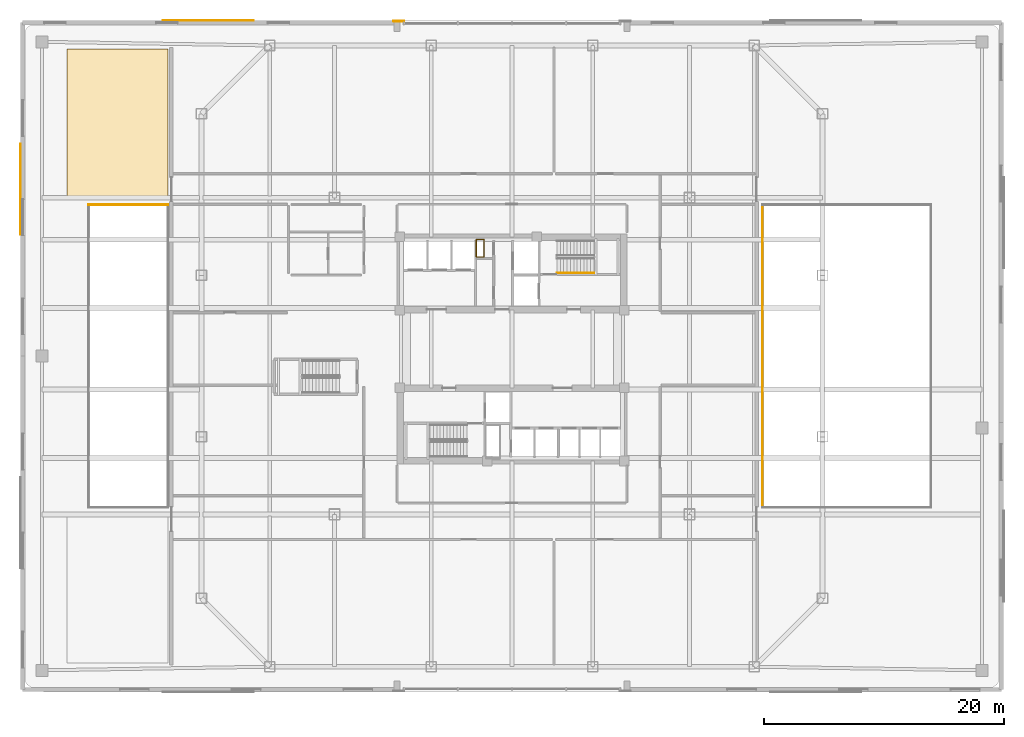
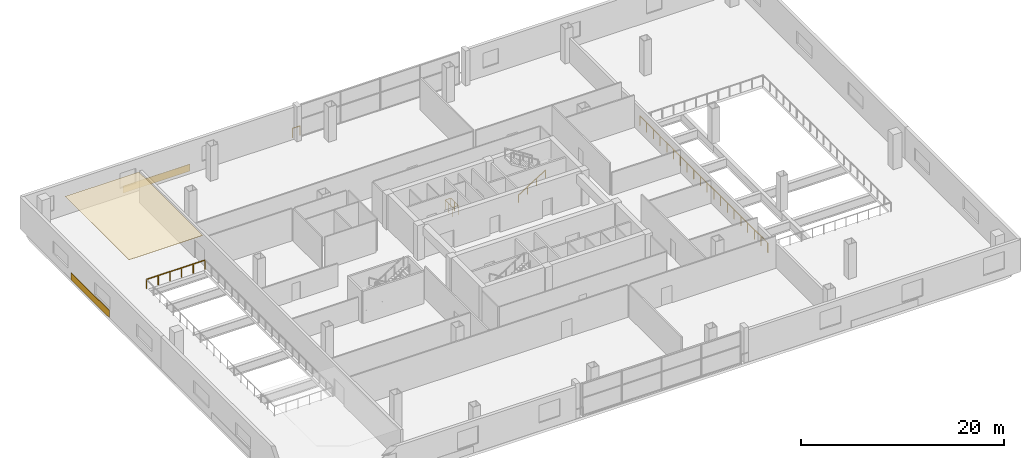
# One storey, part 19 of 21: 5 railings, 3 coverings.
"""IFC4 building model written with IfcOpenShell, lengths in metres."""

from ifc_helpers import new_model, si_unit, direction, frame, origin, origin_2d, place, context, subcontext, project, spatial, polyline, rectangle, outline, extrude, material, layer, layer_set, type_object, element, save


model = new_model("IFC4")

# Units and contexts
model_context = context("Model", 3, precision=1e-05, world=origin(), true_north=direction((0.0, 1.0)))
body_context = subcontext(model_context, "Body", "Model", "MODEL_VIEW")
ifc_project = project(units=[si_unit("LENGTHUNIT", "METRE"), si_unit("AREAUNIT", "SQUARE_METRE"), si_unit("VOLUMEUNIT", "CUBIC_METRE"), si_unit("PLANEANGLEUNIT", "RADIAN"), si_unit("MASSUNIT", "GRAM", prefix="KILO")], contexts=[model_context])

# Site, building, storey
site_placement = place(None, origin())
site = spatial("IfcSite", under=ifc_project, at=site_placement, CompositionType="ELEMENT")
building_placement = place(site_placement, origin())
building = spatial("IfcBuilding", under=site, at=building_placement, Name="Qhalaya Broadcast Tower", CompositionType="ELEMENT")
storey_placement = place(building_placement, frame((0.0, 0.0, 9.300048828125)))
storey = spatial("IfcBuildingStorey", under=building, at=storey_placement, Name="L02", CompositionType="ELEMENT", Elevation=9.300048828125)

# Coverings
ifc_material_1 = material(Name="Acoustic Mineral-Fibre Ceiling")
ifc_layer_1 = layer(ifc_material_1, 0.0400390625, Name="Acoustic Mineral-Fibre Ceiling")
ifc_layer_set_1 = layer_set([ifc_layer_1], Name="Acoustic Mineral-Fibre Ceiling")
covering_type_1 = type_object("IfcCoveringType", Name="Acoustic Mineral-Fibre Suspended Ceiling CLG-01", PredefinedType="CEILING", material=ifc_layer_set_1)
covering_placement = place(storey_placement, frame((0.0, 0.0, 3.83984375)))
element("IfcCovering", 1, at=covering_placement, inside=storey, type_object=covering_type_1, Name="L02 Acoustic Suspended Ceiling 02", PredefinedType="CEILING", context=body_context, shape_type="SweptSolid", body=[
    extrude(outline(polyline([(-28.699951171875, 25.60009765625), (-37.10009765625, 25.60009765625), (-37.10009765625, 13.0), (-28.699951171875, 13.0), (-28.699951171875, 25.60009765625)])), origin(), (0.0, 0.0, 1.0), 0.0400390625),
])
ifc_material_2 = material(Name="Fired Architectural Terracotta", Category="masonry")
ifc_layer_2 = layer(ifc_material_2, 0.044921875, Name="Fired Architectural Terracotta")
ifc_layer_set_2 = layer_set([ifc_layer_2], Name="Fired Architectural Terracotta")
covering_type_2 = type_object("IfcCoveringType", Name="Polychrome Terracotta Rainscreen Cladding CLD-01", PredefinedType="CLADDING", material=ifc_layer_set_2)
for number, where, z_axis, x_axis, name in (
    (2, (-25.320068359375, 28.0, 0.02490234375), (0.0, 0.0, 1.0), (1.0, 0.0, 0.0), "L02 Terracotta Spandrel Cladding EW-NW"),
    (3, (-41.0, 13.89990234375, 0.02490234375), (0.0, 0.0, 1.0), (0.0, 1.0, 0.0), "L02 Terracotta Spandrel Cladding EW-WN"),
):
    element("IfcCovering", number, at=place(storey_placement, frame(where, z_axis=z_axis, x_axis=x_axis)), inside=storey, type_object=covering_type_2, Name=name, PredefinedType="CLADDING", context=body_context, shape_type="SweptSolid", body=[
        extrude(rectangle(XDim=7.60009765625, YDim=0.044921875, at=origin_2d()), origin(), (0.0, 0.0, 1.0), 0.85009765625),
    ])

# Railings
ifc_material_3 = material(Name="Powder-Coated Galvanised Steel", Category="steel")
railing_type_1 = type_object("IfcRailingType", Name="Stair Wall Handrail 900", PredefinedType="HANDRAIL", material=ifc_material_3)
railing_1_placement = place(storey_placement, frame((3.75, 6.929931640625, 0.175048828125)))
element("IfcRailing", 4, at=railing_1_placement, inside=storey, type_object=railing_type_1, Name="L02 ST-1 Stair Handrail 1", PredefinedType="HANDRAIL", context=body_context, shape_type="SweptSolid", body=[
    extrude(rectangle(XDim=0.048095703125, YDim=0.048095703125, at=origin_2d()), frame((0.0, 0.0, 0.8759765625), z_axis=(0.848028513186, 0.0, 0.529950602248), x_axis=(0.0, 1.0, 0.0)), (0.0, 0.0, 1.0), 3.632080078125),
    extrude(rectangle(XDim=0.0419921875, YDim=0.0419921875, at=origin_2d()), origin(), (0.0, 0.0, 1.0), 0.849853515625),
    extrude(rectangle(XDim=0.0419921875, YDim=0.0419921875, at=origin_2d()), frame((1.026611328125, 0.0, 0.6416015625)), (0.0, 0.0, 1.0), 0.849853515625),
    extrude(rectangle(XDim=0.0419921875, YDim=0.0419921875, at=origin_2d()), frame((2.053466796875, 0.0, 1.283203125)), (0.0, 0.0, 1.0), 0.849853515625),
    extrude(rectangle(XDim=0.0419921875, YDim=0.0419921875, at=origin_2d()), frame((3.080078125, 0.0, 1.9248046875)), (0.0, 0.0, 1.0), 0.849853515625),
])
railing_type_2 = type_object("IfcRailingType", Name="Stair Well & Landing Guardrail 1100", PredefinedType="GUARDRAIL", material=ifc_material_3)
railing_2_placement = place(storey_placement, frame((-2.340087890625, 8.239990234375, 0.0)))
element("IfcRailing", 5, at=railing_2_placement, inside=storey, type_object=railing_type_2, Name="L02 Service Riser Opening Safety Guard NRSR", PredefinedType="GUARDRAIL", context=body_context, shape_type="SweptSolid", body=[
    extrude(rectangle(XDim=0.048095703125, YDim=0.048095703125, at=origin_2d()), frame((0.0, 0.02880859375, 1.1259765625), z_axis=(0.0, 1.0, 0.0), x_axis=(-1.0, 0.0, 0.0)), (0.0, 0.0, 1.0), 1.42236328125),
    extrude(rectangle(XDim=0.048095703125, YDim=0.048095703125, at=origin_2d()), frame((-0.02880859375, 1.47998046875, 1.1259765625), z_axis=(-1.0, 0.0, 0.0), x_axis=(0.0, -1.0, 0.0)), (0.0, 0.0, 1.0), 0.582275390625),
    extrude(rectangle(XDim=0.048095703125, YDim=0.048095703125, at=origin_2d()), frame((-0.639892578125, 1.451171875, 1.1259765625), z_axis=(0.0, -1.0, 0.0), x_axis=(1.0, 0.0, 0.0)), (0.0, 0.0, 1.0), 1.42236328125),
    extrude(rectangle(XDim=0.048095703125, YDim=0.048095703125, at=origin_2d()), frame((-0.611083984375, 0.0, 1.1259765625), z_axis=(1.0, 0.0, 0.0), x_axis=(0.0, 1.0, 0.0)), (0.0, 0.0, 1.0), 0.582275390625),
    extrude(rectangle(XDim=0.0419921875, YDim=0.0419921875, at=origin_2d()), origin(), (0.0, 0.0, 1.0), 1.099853515625),
    extrude(rectangle(XDim=0.0419921875, YDim=0.0419921875, at=origin_2d()), frame((0.0, 0.739990234375, 0.0)), (0.0, 0.0, 1.0), 1.099853515625),
    extrude(rectangle(XDim=0.0419921875, YDim=0.0419921875, at=origin_2d()), frame((0.0, 1.47998046875, 0.0)), (0.0, 0.0, 1.0), 1.099853515625),
    extrude(rectangle(XDim=0.0419921875, YDim=0.0419921875, at=origin_2d()), frame((-0.639892578125, 1.47998046875, 0.0)), (0.0, 0.0, 1.0), 1.099853515625),
    extrude(rectangle(XDim=0.0419921875, YDim=0.0419921875, at=origin_2d()), frame((-0.639892578125, 0.739990234375, 0.0)), (0.0, 0.0, 1.0), 1.099853515625),
    extrude(rectangle(XDim=0.0419921875, YDim=0.0419921875, at=origin_2d()), frame((-0.639892578125, 0.0, 0.0)), (0.0, 0.0, 1.0), 1.099853515625),
])
railing_3_placement = place(storey_placement, frame((-28.679931640625, 12.6201171875, 0.0)))
element("IfcRailing", 6, at=railing_3_placement, inside=storey, type_object=railing_type_2, Name="L02 Soundstage Acoustic Void Safety Guard STVW-3", PredefinedType="GUARDRAIL", context=body_context, shape_type="SweptSolid", body=[
    extrude(rectangle(XDim=0.048095703125, YDim=0.048095703125, at=origin_2d()), frame((0.0, 0.0, 1.1259765625), z_axis=(-1.0, 0.0, 0.0), x_axis=(0.0, -1.0, 0.0)), (0.0, 0.0, 1.0), 6.64013671875),
    extrude(rectangle(XDim=0.0419921875, YDim=0.0419921875, at=origin_2d()), origin(), (0.0, 0.0, 1.0), 1.099853515625),
    extrude(rectangle(XDim=0.0419921875, YDim=0.0419921875, at=origin_2d()), frame((-1.328125, 0.0, 0.0)), (0.0, 0.0, 1.0), 1.099853515625),
    extrude(rectangle(XDim=0.0419921875, YDim=0.0419921875, at=origin_2d()), frame((-2.656005859375, 0.0, 0.0)), (0.0, 0.0, 1.0), 1.099853515625),
    extrude(rectangle(XDim=0.0419921875, YDim=0.0419921875, at=origin_2d()), frame((-3.984130859375, 0.0, 0.0)), (0.0, 0.0, 1.0), 1.099853515625),
    extrude(rectangle(XDim=0.0419921875, YDim=0.0419921875, at=origin_2d()), frame((-5.31201171875, 0.0, 0.0)), (0.0, 0.0, 1.0), 1.099853515625),
    extrude(rectangle(XDim=0.0419921875, YDim=0.0419921875, at=origin_2d()), frame((-6.64013671875, 0.0, 0.0)), (0.0, 0.0, 1.0), 1.099853515625),
])
railing_4_placement = place(storey_placement, frame((20.8798828125, 12.6201171875, 0.0)))
element("IfcRailing", 7, at=railing_4_placement, inside=storey, type_object=railing_type_2, Name="L02 Soundstage Acoustic Void Safety Guard STVE-4", PredefinedType="GUARDRAIL", context=body_context, shape_type="SweptSolid", body=[
    extrude(rectangle(XDim=0.048095703125, YDim=0.048095703125, at=origin_2d()), frame((0.0, 0.0, 1.1259765625), z_axis=(0.0, -1.0, 0.0), x_axis=(1.0, 0.0, 0.0)), (0.0, 0.0, 1.0), 25.240234375),
    extrude(rectangle(XDim=0.0419921875, YDim=0.0419921875, at=origin_2d()), origin(), (0.0, 0.0, 1.0), 1.099853515625),
    extrude(rectangle(XDim=0.0419921875, YDim=0.0419921875, at=origin_2d()), frame((0.0, -1.328369140625, 0.0)), (0.0, 0.0, 1.0), 1.099853515625),
    extrude(rectangle(XDim=0.0419921875, YDim=0.0419921875, at=origin_2d()), frame((0.0, -2.656982421875, 0.0)), (0.0, 0.0, 1.0), 1.099853515625),
    extrude(rectangle(XDim=0.0419921875, YDim=0.0419921875, at=origin_2d()), frame((0.0, -3.9853515625, 0.0)), (0.0, 0.0, 1.0), 1.099853515625),
    extrude(rectangle(XDim=0.0419921875, YDim=0.0419921875, at=origin_2d()), frame((0.0, -5.313720703125, 0.0)), (0.0, 0.0, 1.0), 1.099853515625),
    extrude(rectangle(XDim=0.0419921875, YDim=0.0419921875, at=origin_2d()), frame((0.0, -6.64208984375, 0.0)), (0.0, 0.0, 1.0), 1.099853515625),
    extrude(rectangle(XDim=0.0419921875, YDim=0.0419921875, at=origin_2d()), frame((0.0, -7.970703125, 0.0)), (0.0, 0.0, 1.0), 1.099853515625),
    extrude(rectangle(XDim=0.0419921875, YDim=0.0419921875, at=origin_2d()), frame((0.0, -9.299072265625, 0.0)), (0.0, 0.0, 1.0), 1.099853515625),
    extrude(rectangle(XDim=0.0419921875, YDim=0.0419921875, at=origin_2d()), frame((0.0, -10.62744140625, 0.0)), (0.0, 0.0, 1.0), 1.099853515625),
    extrude(rectangle(XDim=0.0419921875, YDim=0.0419921875, at=origin_2d()), frame((0.0, -11.955810546875, 0.0)), (0.0, 0.0, 1.0), 1.099853515625),
    extrude(rectangle(XDim=0.0419921875, YDim=0.0419921875, at=origin_2d()), frame((0.0, -13.284423828125, 0.0)), (0.0, 0.0, 1.0), 1.099853515625),
    extrude(rectangle(XDim=0.0419921875, YDim=0.0419921875, at=origin_2d()), frame((0.0, -14.61279296875, 0.0)), (0.0, 0.0, 1.0), 1.099853515625),
    extrude(rectangle(XDim=0.0419921875, YDim=0.0419921875, at=origin_2d()), frame((0.0, -15.941162109375, 0.0)), (0.0, 0.0, 1.0), 1.099853515625),
    extrude(rectangle(XDim=0.0419921875, YDim=0.0419921875, at=origin_2d()), frame((0.0, -17.26953125, 0.0)), (0.0, 0.0, 1.0), 1.099853515625),
    extrude(rectangle(XDim=0.0419921875, YDim=0.0419921875, at=origin_2d()), frame((0.0, -18.59814453125, 0.0)), (0.0, 0.0, 1.0), 1.099853515625),
    extrude(rectangle(XDim=0.0419921875, YDim=0.0419921875, at=origin_2d()), frame((0.0, -19.926513671875, 0.0)), (0.0, 0.0, 1.0), 1.099853515625),
    extrude(rectangle(XDim=0.0419921875, YDim=0.0419921875, at=origin_2d()), frame((0.0, -21.2548828125, 0.0)), (0.0, 0.0, 1.0), 1.099853515625),
    extrude(rectangle(XDim=0.0419921875, YDim=0.0419921875, at=origin_2d()), frame((0.0, -22.583251953125, 0.0)), (0.0, 0.0, 1.0), 1.099853515625),
    extrude(rectangle(XDim=0.0419921875, YDim=0.0419921875, at=origin_2d()), frame((0.0, -23.911865234375, 0.0)), (0.0, 0.0, 1.0), 1.099853515625),
    extrude(rectangle(XDim=0.0419921875, YDim=0.0419921875, at=origin_2d()), frame((0.0, -25.240234375, 0.0)), (0.0, 0.0, 1.0), 1.099853515625),
])
railing_type_3 = type_object("IfcRailingType", Name="Terrace, Sky-Pool & Lookout Glass Balustrade 1150", PredefinedType="BALUSTRADE", material=ifc_material_3)
railing_5_placement = place(storey_placement, frame((-9.8798828125, 27.919921875, 0.0)))
element("IfcRailing", 8, at=railing_5_placement, inside=storey, type_object=railing_type_3, Name="L02 Concourse Portal Shoulder Safety Balustrade PNW", PredefinedType="BALUSTRADE", context=body_context, shape_type="SweptSolid", body=[
    extrude(rectangle(XDim=0.048095703125, YDim=0.048095703125, at=origin_2d()), frame((0.0, 0.0, 1.1259765625), z_axis=(1.0, 0.0, 0.0), x_axis=(0.0, 1.0, 0.0)), (0.0, 0.0, 1.0), 0.8798828125),
    extrude(rectangle(XDim=0.0419921875, YDim=0.0419921875, at=origin_2d()), origin(), (0.0, 0.0, 1.0), 1.099853515625),
    extrude(rectangle(XDim=0.0419921875, YDim=0.0419921875, at=origin_2d()), frame((0.8798828125, 0.0, 0.0)), (0.0, 0.0, 1.0), 1.099853515625),
])

save(model, "model.ifc")
